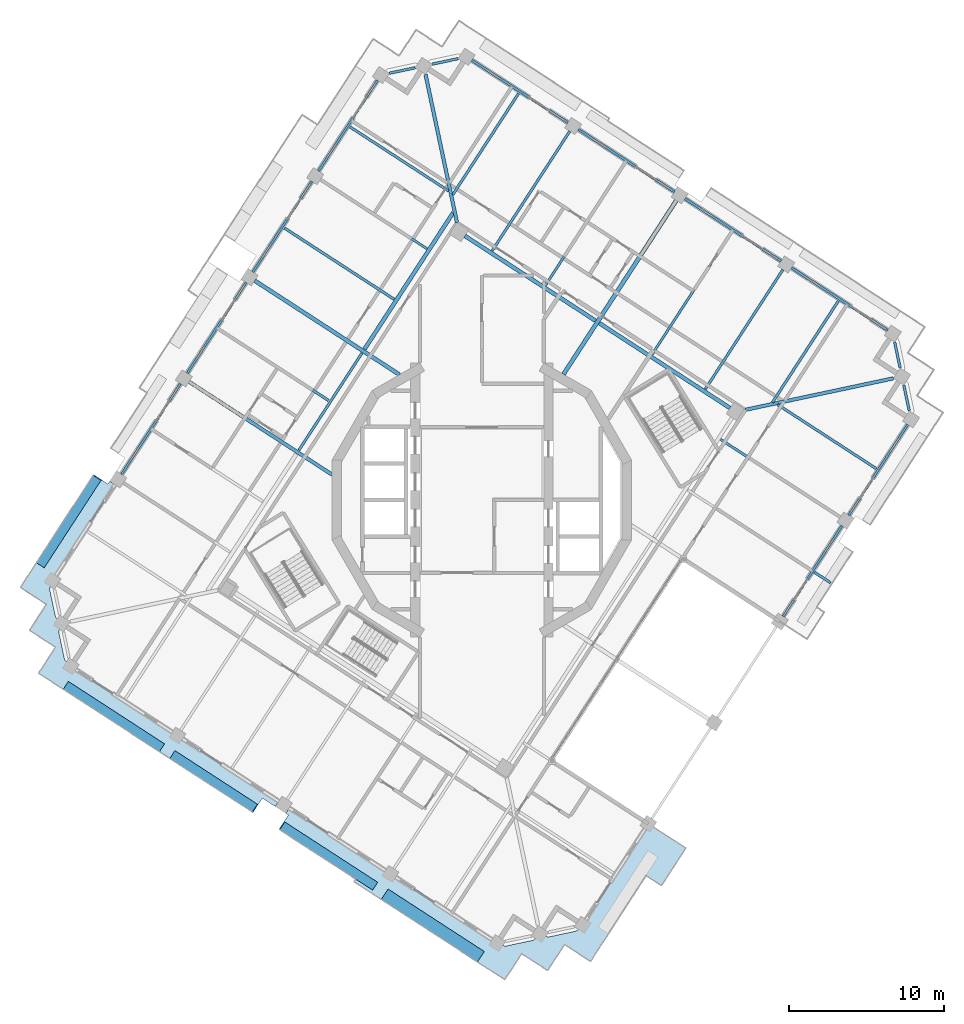
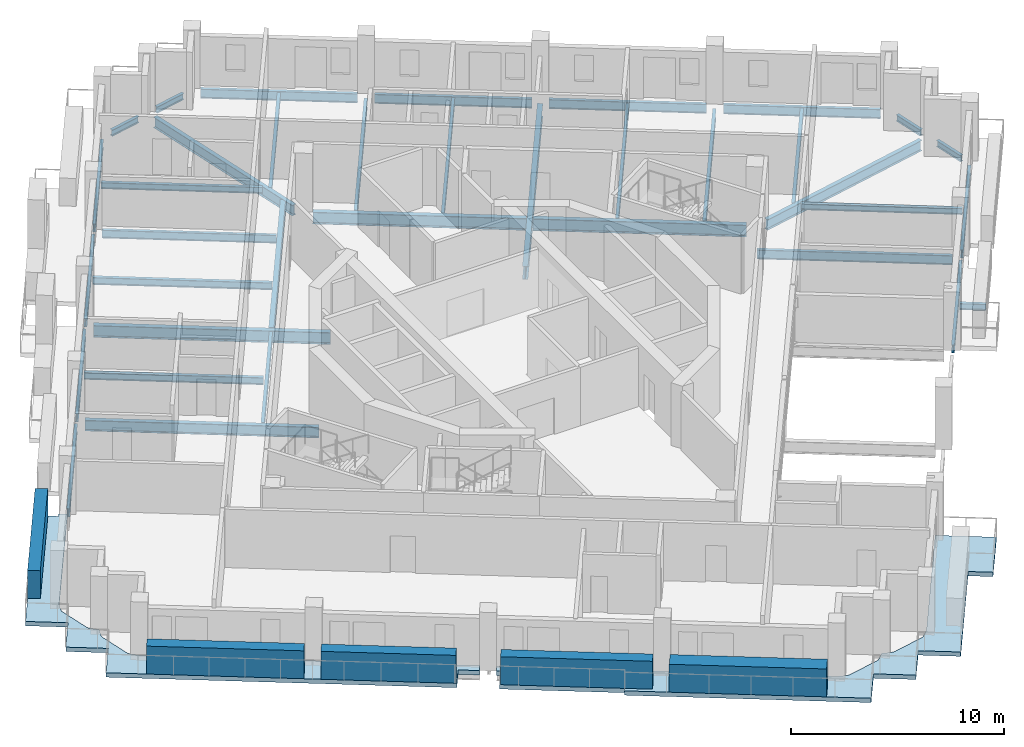
# One storey, part 3 of 17: 36 beams, 5 plates, 2 slabs.
"""IFC4 building model written with IfcOpenShell, lengths in metres."""

from ifc_helpers import new_model, si_unit, direction, frame, origin, origin_2d, place, context, subcontext, project, spatial, polyline, rectangle, i_section, outline, extrude, material, layer, layer_set, material_profile, profile_set, type_object, element, save


model = new_model("IFC4")

# Units and contexts
model_context = context("Model", 3, precision=1e-05, world=origin(), true_north=direction((0.0, 1.0)))
body_context = subcontext(model_context, "Body", "Model", "MODEL_VIEW")
ifc_project = project(units=[si_unit("LENGTHUNIT", "METRE"), si_unit("AREAUNIT", "SQUARE_METRE"), si_unit("VOLUMEUNIT", "CUBIC_METRE"), si_unit("PLANEANGLEUNIT", "RADIAN"), si_unit("MASSUNIT", "GRAM", prefix="KILO")], contexts=[model_context])

# Site, building, storey
site_placement = place(None, origin())
site = spatial("IfcSite", under=ifc_project, at=site_placement, CompositionType="ELEMENT")
building_placement = place(site_placement, origin())
building = spatial("IfcBuilding", under=site, at=building_placement, Name="Cantera Rosa Tower", CompositionType="ELEMENT")
storey_placement = place(building_placement, frame((0.0, 0.0, 254.10009765625)))
storey = spatial("IfcBuildingStorey", under=building, at=storey_placement, Name="L56", CompositionType="ELEMENT", Elevation=254.10009765625)

# Beams
ifc_material_1 = material(Name="Steel ASTM A992 (Fy 345 MPa)", Category="steel")
ifc_material_profile_1 = material_profile(ifc_material_1, i_section(OverallWidth=0.154052734375, OverallDepth=0.4599609375, WebThickness=0.009033203125, FlangeThickness=0.015380859375, FilletRadius=0.01025390625, at=origin_2d()), Name="W460X68")
ifc_profile_set_1 = profile_set([ifc_material_profile_1], Name="Steel ASTM A992 (Fy 345 MPa)")
beam_type_1 = type_object("IfcBeamType", Name="STEEL BEAM W460X68", PredefinedType="BEAM", material=ifc_profile_set_1)
beam_1_placement = place(storey_placement, frame((-10.41748046875, 20.68017578125, -0.47998046875), z_axis=(0.838672777751, -0.544635632198, 0.0), x_axis=(0.544635632198, 0.838672777751, 0.0)))
element("IfcBeam", 1, at=beam_1_placement, inside=storey, type_object=beam_type_1, Name="G-Z5-04 L56", PredefinedType="BEAM", context=body_context, shape_type="SweptSolid", body=[
    extrude(i_section(OverallWidth=0.154052734375, OverallDepth=0.4599609375, WebThickness=0.009033203125, FlangeThickness=0.015380859375, FilletRadius=0.01025390625, at=origin_2d()), origin(), (0.0, 0.0, 1.0), 8.2001953125),
])
ifc_material_2 = material(Name="Steel ASTM A992 (Fy 345 MPa)", Category="steel")
ifc_material_profile_2 = material_profile(ifc_material_2, i_section(OverallWidth=0.166015625, OverallDepth=0.528076171875, WebThickness=0.009765625, FlangeThickness=0.013671875, FilletRadius=0.0126953125, at=origin_2d()), Name="W530X74")
ifc_profile_set_2 = profile_set([ifc_material_profile_2], Name="Steel ASTM A992 (Fy 345 MPa)")
beam_type_2 = type_object("IfcBeamType", Name="STEEL BEAM W530X74", PredefinedType="BEAM", material=ifc_profile_set_2)
beam_2_placement = place(storey_placement, frame((19.430908203125, 14.865234375, -0.51416015625), z_axis=(-0.544634776066, -0.838673333724, 0.0), x_axis=(0.838673333724, -0.544634776066, 0.0)))
element("IfcBeam", 2, at=beam_2_placement, inside=storey, type_object=beam_type_2, Name="G-Z5-01 L56", PredefinedType="BEAM", context=body_context, shape_type="SweptSolid", body=[
    extrude(i_section(OverallWidth=0.166015625, OverallDepth=0.528076171875, WebThickness=0.009765625, FlangeThickness=0.013671875, FilletRadius=0.0126953125, at=origin_2d()), origin(), (0.0, 0.0, 1.0), 9.19970703125),
])
beam_3_placement = place(storey_placement, frame((5.6767578125, 23.79736328125, -0.51416015625), z_axis=(-0.544622654601, -0.838681205283, 0.0), x_axis=(0.838681205283, -0.544622654601, 0.0)))
element("IfcBeam", 3, at=beam_3_placement, inside=storey, type_object=beam_type_2, Name="G-Z5-03 L56", PredefinedType="BEAM", context=body_context, shape_type="SweptSolid", body=[
    extrude(i_section(OverallWidth=0.166015625, OverallDepth=0.528076171875, WebThickness=0.009765625, FlangeThickness=0.013671875, FilletRadius=0.0126953125, at=origin_2d()), origin(), (0.0, 0.0, 1.0), 9.199951171875),
])
beam_4_placement = place(storey_placement, frame((23.12939453125, -1.10546875, -0.51416015625), z_axis=(-0.838669083999, 0.544641320086, 0.0), x_axis=(-0.544641320086, -0.838669083999, 0.0)))
element("IfcBeam", 4, at=beam_4_placement, inside=storey, type_object=beam_type_2, Name="G-Z5-11 L56", PredefinedType="BEAM", context=body_context, shape_type="SweptSolid", body=[
    extrude(i_section(OverallWidth=0.166015625, OverallDepth=0.528076171875, WebThickness=0.009765625, FlangeThickness=0.013671875, FilletRadius=0.0126953125, at=origin_2d()), origin(), (0.0, 0.0, 1.0), 9.2001953125),
])
beam_5_placement = place(storey_placement, frame((-11.807373046875, 3.20849609375, -0.51416015625), z_axis=(0.544626910795, 0.838678441381, 0.0), x_axis=(-0.838678441381, 0.544626910795, 0.0)))
element("IfcBeam", 5, at=beam_5_placement, inside=storey, type_object=beam_type_2, Name="RB-Z5-02 L56", PredefinedType="BEAM", context=body_context, shape_type="SweptSolid", body=[
    extrude(i_section(OverallWidth=0.166015625, OverallDepth=0.528076171875, WebThickness=0.009765625, FlangeThickness=0.013671875, FilletRadius=0.0126953125, at=origin_2d()), origin(), (0.0, 0.0, 1.0), 7.479736328125),
])
ifc_material_3 = material(Name="Steel ASTM A992 (Fy 345 MPa)", Category="steel")
ifc_material_profile_3 = material_profile(ifc_material_3, i_section(OverallWidth=0.22802734375, OverallDepth=0.60205078125, WebThickness=0.010498046875, FlangeThickness=0.014892578125, FilletRadius=0.0126953125, at=origin_2d()), Name="W610X101")
ifc_profile_set_3 = profile_set([ifc_material_profile_3], Name="Steel ASTM A992 (Fy 345 MPa)")
beam_type_3 = type_object("IfcBeamType", Name="STEEL BEAM W610X101", PredefinedType="BEAM", material=ifc_profile_set_3)
for number, where, z_axis, x_axis, name in (
    (6, (-3.63134765625, 27.45751953125, -0.551025390625), (0.20790902572, -0.978148167214, 0.0), (0.978148167214, 0.20790902572, 0.0), "CB-Z5-01 L56"),
    (7, (26.560791015625, 7.8505859375, -0.551025390625), (-0.978148167214, -0.20790902572, 0.0), (0.20790902572, -0.978148167214, 0.0), "CB-Z5-04 L56"),
):
    element("IfcBeam", number, at=place(storey_placement, frame(where, z_axis=z_axis, x_axis=x_axis)), inside=storey, type_object=beam_type_3, Name=name, PredefinedType="BEAM", context=body_context, shape_type="SweptSolid", body=[
        extrude(i_section(OverallWidth=0.22802734375, OverallDepth=0.60205078125, WebThickness=0.010498046875, FlangeThickness=0.014892578125, FilletRadius=0.0126953125, at=origin_2d()), origin(), (0.0, 0.0, 1.0), 9.758056640625),
    ])
ifc_material_4 = material(Name="Steel ASTM A992 (Fy 345 MPa)", Category="steel")
ifc_material_profile_4 = material_profile(ifc_material_4, i_section(OverallWidth=0.22900390625, OverallDepth=0.612060546875, WebThickness=0.011962890625, FlangeThickness=0.01953125, FilletRadius=0.0126953125, at=origin_2d()), Name="W610X125")
ifc_profile_set_4 = profile_set([ifc_material_profile_4], Name="Steel ASTM A992 (Fy 345 MPa)")
beam_type_4 = type_object("IfcBeamType", Name="STEEL BEAM W610X125", PredefinedType="BEAM", material=ifc_profile_set_4)
beam_6_placement = place(storey_placement, frame((-18.89208984375, 7.63037109375, -0.55615234375), z_axis=(0.838673569952, -0.544634412302, 0.0), x_axis=(0.544634412302, 0.838673569952, 0.0)))
element("IfcBeam", 8, at=beam_6_placement, inside=storey, type_object=beam_type_4, Name="G-Z5-06 L56", PredefinedType="BEAM", context=body_context, shape_type="SweptSolid", body=[
    extrude(i_section(OverallWidth=0.22900390625, OverallDepth=0.612060546875, WebThickness=0.011962890625, FlangeThickness=0.01953125, FilletRadius=0.0126953125, at=origin_2d()), origin(), (0.0, 0.0, 1.0), 11.009033203125),
])
ifc_material_5 = material(Name="Steel ASTM A992 (Fy 345 MPa)", Category="steel")
ifc_material_profile_5 = material_profile(ifc_material_5, i_section(OverallWidth=0.25390625, OverallDepth=0.677978515625, WebThickness=0.01171875, FlangeThickness=0.016357421875, FilletRadius=0.01513671875, at=origin_2d()), Name="W690X125")
ifc_profile_set_5 = profile_set([ifc_material_profile_5], Name="Steel ASTM A992 (Fy 345 MPa)")
beam_type_5 = type_object("IfcBeamType", Name="STEEL BEAM W690X125", PredefinedType="BEAM", material=ifc_profile_set_5)
beam_7_placement = place(storey_placement, frame((-14.65478515625, 14.1552734375, -0.589111328125), z_axis=(0.838661833747, -0.544652484265, 0.0), x_axis=(0.544652484265, 0.838661833747, 0.0)))
element("IfcBeam", 9, at=beam_7_placement, inside=storey, type_object=beam_type_5, Name="G-Z5-05 L56", PredefinedType="BEAM", context=body_context, shape_type="SweptSolid", body=[
    extrude(i_section(OverallWidth=0.25390625, OverallDepth=0.677978515625, WebThickness=0.01171875, FlangeThickness=0.016357421875, FilletRadius=0.01513671875, at=origin_2d()), origin(), (0.0, 0.0, 1.0), 11.141357421875),
])
beam_8_placement = place(storey_placement, frame((-7.570068359375, 9.733154296875, -0.589111328125), z_axis=(0.544635575355, 0.838672814665, 0.0), x_axis=(-0.838672814665, 0.544635575355, 0.0)))
element("IfcBeam", 10, at=beam_8_placement, inside=storey, type_object=beam_type_5, Name="RB-Z5-03 L56", PredefinedType="BEAM", context=body_context, shape_type="SweptSolid", body=[
    extrude(i_section(OverallWidth=0.25390625, OverallDepth=0.677978515625, WebThickness=0.01171875, FlangeThickness=0.016357421875, FilletRadius=0.01513671875, at=origin_2d()), origin(), (0.0, 0.0, 1.0), 10.510009765625),
])
beam_9_placement = place(storey_placement, frame((16.01611328125, 5.9345703125, -0.589111328125), z_axis=(-0.838672207367, 0.544636510519, 0.0), x_axis=(-0.544636510519, -0.838672207367, 0.0)))
element("IfcBeam", 11, at=beam_9_placement, inside=storey, type_object=beam_type_5, Name="RB-Z5-07 L56", PredefinedType="BEAM", context=body_context, shape_type="SweptSolid", body=[
    extrude(i_section(OverallWidth=0.25390625, OverallDepth=0.677978515625, WebThickness=0.01171875, FlangeThickness=0.016357421875, FilletRadius=0.01513671875, at=origin_2d()), origin(), (0.0, 0.0, 1.0), 10.050048828125),
])
beam_10_placement = place(storey_placement, frame((7.335693359375, 11.571533203125, -0.589111328125), z_axis=(-0.838665001306, 0.544647606792, 0.0), x_axis=(-0.544647606792, -0.838665001306, 0.0)))
element("IfcBeam", 12, at=beam_10_placement, inside=storey, type_object=beam_type_5, Name="RB-Z5-08 L56", PredefinedType="BEAM", context=body_context, shape_type="SweptSolid", body=[
    extrude(i_section(OverallWidth=0.25390625, OverallDepth=0.677978515625, WebThickness=0.01171875, FlangeThickness=0.016357421875, FilletRadius=0.01513671875, at=origin_2d()), origin(), (0.0, 0.0, 1.0), 10.0498046875),
])
ifc_material_6 = material(Name="Steel ASTM A992 (Fy 345 MPa)", Category="steel")
ifc_material_profile_6 = material_profile(ifc_material_6, i_section(OverallWidth=0.26708984375, OverallDepth=0.75390625, WebThickness=0.01318359375, FlangeThickness=0.01708984375, FilletRadius=0.0166015625, at=origin_2d()), Name="W760X147")
ifc_profile_set_6 = profile_set([ifc_material_profile_6], Name="Steel ASTM A992 (Fy 345 MPa)")
beam_type_6 = type_object("IfcBeamType", Name="STEEL BEAM W760X147", PredefinedType="BEAM", material=ifc_profile_set_6)
beam_11_placement = place(storey_placement, frame((12.553955078125, 19.331298828125, -0.627197265625), z_axis=(-0.54464061985, -0.838669538739, 0.0), x_axis=(0.838669538739, -0.54464061985, 0.0)))
element("IfcBeam", 13, at=beam_11_placement, inside=storey, type_object=beam_type_6, Name="G-Z5-02 L56", PredefinedType="BEAM", context=body_context, shape_type="SweptSolid", body=[
    extrude(i_section(OverallWidth=0.26708984375, OverallDepth=0.75390625, WebThickness=0.01318359375, FlangeThickness=0.01708984375, FilletRadius=0.0166015625, at=origin_2d()), origin(), (0.0, 0.0, 1.0), 13.37744140625),
])
ifc_material_7 = material(Name="Steel ASTM A992 (Fy 345 MPa)", Category="steel")
ifc_material_profile_7 = material_profile(ifc_material_7, i_section(OverallWidth=0.1708984375, OverallDepth=0.35595703125, WebThickness=0.00732421875, FlangeThickness=0.01171875, FilletRadius=0.010009765625, at=origin_2d()), Name="W360X51")
ifc_profile_set_7 = profile_set([ifc_material_profile_7], Name="Steel ASTM A992 (Fy 345 MPa)")
beam_type_7 = type_object("IfcBeamType", Name="STEEL JOIST W360X51", PredefinedType="JOIST", material=ifc_profile_set_7)
for number, where, z_axis, x_axis, name in (
    (14, (23.005859375, 12.842041015625, -0.427978515625), (-0.544641754757, -0.838668801718, 0.0), (0.838668801718, -0.544641754757, 0.0), "B-Z5-01 L56"),
    (15, (2.37451171875, 26.239990234375, -0.427978515625), (-0.54465605183, -0.838659516851, 0.0), (0.838659516851, -0.54465605183, 0.0), "B-Z5-04 L56"),
):
    element("IfcBeam", number, at=place(storey_placement, frame(where, z_axis=z_axis, x_axis=x_axis)), inside=storey, type_object=beam_type_7, Name=name, PredefinedType="JOIST", context=body_context, shape_type="SweptSolid", body=[
        extrude(i_section(OverallWidth=0.1708984375, OverallDepth=0.35595703125, WebThickness=0.00732421875, FlangeThickness=0.01171875, FilletRadius=0.010009765625, at=origin_2d()), origin(), (0.0, 0.0, 1.0), 7.800048828125),
    ])
beam_12_placement = place(storey_placement, frame((-8.508544921875, 24.07861328125, -0.427978515625), z_axis=(0.838670629323, -0.544638940502, 0.0), x_axis=(0.544638940502, 0.838670629323, 0.0)))
element("IfcBeam", 16, at=beam_12_placement, inside=storey, type_object=beam_type_7, Name="B-Z5-05 L56", PredefinedType="JOIST", context=body_context, shape_type="SweptSolid", body=[
    extrude(i_section(OverallWidth=0.1708984375, OverallDepth=0.35595703125, WebThickness=0.00732421875, FlangeThickness=0.01171875, FilletRadius=0.010009765625, at=origin_2d()), origin(), (0.0, 0.0, 1.0), 7.58984375),
])
beam_13_placement = place(storey_placement, frame((25.457763671875, 2.020751953125, -0.427978515625), z_axis=(-0.838680170462, 0.54462424815, 0.0), x_axis=(-0.54462424815, -0.838680170462, 0.0)))
element("IfcBeam", 17, at=beam_13_placement, inside=storey, type_object=beam_type_7, Name="B-Z5-14 L56", PredefinedType="JOIST", context=body_context, shape_type="SweptSolid", body=[
    extrude(i_section(OverallWidth=0.1708984375, OverallDepth=0.35595703125, WebThickness=0.00732421875, FlangeThickness=0.01171875, FilletRadius=0.010009765625, at=origin_2d()), origin(), (0.0, 0.0, 1.0), 7.590087890625),
])
beam_14_placement = place(storey_placement, frame((21.455078125, -4.656494140625, -0.427978515625), z_axis=(0.838679658069, -0.544625037197, 0.0), x_axis=(0.544625037197, 0.838679658069, 0.0)))
element("IfcBeam", 18, at=beam_14_placement, inside=storey, type_object=beam_type_7, Name="BS-Z5-01 L56", PredefinedType="JOIST", context=body_context, shape_type="SweptSolid", body=[
    extrude(i_section(OverallWidth=0.1708984375, OverallDepth=0.35595703125, WebThickness=0.00732421875, FlangeThickness=0.01171875, FilletRadius=0.010009765625, at=origin_2d()), origin(), (0.0, 0.0, 1.0), 1.251953125),
])
ifc_material_8 = material(Name="Steel ASTM A992 (Fy 345 MPa)", Category="steel")
ifc_material_profile_8 = material_profile(ifc_material_8, i_section(OverallWidth=0.177978515625, OverallDepth=0.406005859375, WebThickness=0.0078125, FlangeThickness=0.0126953125, FilletRadius=0.01025390625, at=origin_2d()), Name="W410X60")
ifc_profile_set_8 = profile_set([ifc_material_profile_8], Name="Steel ASTM A992 (Fy 345 MPa)")
beam_type_8 = type_object("IfcBeamType", Name="STEEL JOIST W410X60", PredefinedType="JOIST", material=ifc_profile_set_8)
beam_15_placement = place(storey_placement, frame((-12.745849609375, 17.5537109375, -0.453125), z_axis=(0.838683812595, -0.5446186395, 0.0), x_axis=(0.5446186395, 0.838683812595, 0.0)))
element("IfcBeam", 19, at=beam_15_placement, inside=storey, type_object=beam_type_8, Name="B-Z5-06 L56", PredefinedType="JOIST", context=body_context, shape_type="SweptSolid", body=[
    extrude(i_section(OverallWidth=0.177978515625, OverallDepth=0.406005859375, WebThickness=0.0078125, FlangeThickness=0.0126953125, FilletRadius=0.01025390625, at=origin_2d()), origin(), (0.0, 0.0, 1.0), 8.449951171875),
])
beam_16_placement = place(storey_placement, frame((-16.983154296875, 11.029052734375, -0.453125), z_axis=(0.838670615657, -0.544638961546, 0.0), x_axis=(0.544638961546, 0.838670615657, 0.0)))
element("IfcBeam", 20, at=beam_16_placement, inside=storey, type_object=beam_type_8, Name="B-Z5-07 L56", PredefinedType="JOIST", context=body_context, shape_type="SweptSolid", body=[
    extrude(i_section(OverallWidth=0.177978515625, OverallDepth=0.406005859375, WebThickness=0.0078125, FlangeThickness=0.0126953125, FilletRadius=0.01025390625, at=origin_2d()), origin(), (0.0, 0.0, 1.0), 8.4501953125),
])
ifc_material_9 = material(Name="Steel ASTM A992 (Fy 345 MPa)", Category="steel")
ifc_material_profile_9 = material_profile(ifc_material_9, i_section(OverallWidth=0.154052734375, OverallDepth=0.4599609375, WebThickness=0.009033203125, FlangeThickness=0.015380859375, FilletRadius=0.01025390625, at=origin_2d()), Name="W460X68")
ifc_profile_set_9 = profile_set([ifc_material_profile_9], Name="Steel ASTM A992 (Fy 345 MPa)")
beam_type_9 = type_object("IfcBeamType", Name="STEEL JOIST W460X68", PredefinedType="JOIST", material=ifc_profile_set_9)
beam_17_placement = place(storey_placement, frame((16.128662109375, 17.30810546875, -0.47998046875), z_axis=(-0.544644146603, -0.838667248419, 0.0), x_axis=(0.838667248419, -0.544644146603, 0.0)))
element("IfcBeam", 21, at=beam_17_placement, inside=storey, type_object=beam_type_9, Name="B-Z5-02 L56", PredefinedType="JOIST", context=body_context, shape_type="SweptSolid", body=[
    extrude(i_section(OverallWidth=0.154052734375, OverallDepth=0.4599609375, WebThickness=0.009033203125, FlangeThickness=0.015380859375, FilletRadius=0.01025390625, at=origin_2d()), origin(), (0.0, 0.0, 1.0), 9.4501953125),
])
beam_18_placement = place(storey_placement, frame((9.25146484375, 21.77392578125, -0.47998046875), z_axis=(-0.544637775879, -0.838671385636, 0.0), x_axis=(0.838671385636, -0.544637775879, 0.0)))
element("IfcBeam", 22, at=beam_18_placement, inside=storey, type_object=beam_type_9, Name="B-Z5-03 L56", PredefinedType="JOIST", context=body_context, shape_type="SweptSolid", body=[
    extrude(i_section(OverallWidth=0.154052734375, OverallDepth=0.4599609375, WebThickness=0.009033203125, FlangeThickness=0.015380859375, FilletRadius=0.01025390625, at=origin_2d()), origin(), (0.0, 0.0, 1.0), 9.44970703125),
])
ifc_material_10 = material(Name="Steel ASTM A992 (Fy 345 MPa)", Category="steel")
ifc_material_profile_10 = material_profile(ifc_material_10, i_section(OverallWidth=0.1708984375, OverallDepth=0.35595703125, WebThickness=0.00732421875, FlangeThickness=0.01171875, FilletRadius=0.010009765625, at=origin_2d()), Name="W360X51")
ifc_profile_set_10 = profile_set([ifc_material_profile_10], Name="Steel ASTM A992 (Fy 345 MPa)")
beam_type_10 = type_object("IfcBeamType", Name="STEEL SPANDREL BEAM W360X51", PredefinedType="SPANDREL", material=ifc_profile_set_10)
for number, where, z_axis, x_axis, name in (
    (23, (-1.53564453125, 28.481201171875, -0.427978515625), (-0.978158850918, -0.20785875582, 0.0), (0.20785875582, -0.978158850918, 0.0), "EB-Z5-05 L56"),
    (24, (-4.30224609375, 27.893310546875, -0.427978515625), (-0.978129595322, -0.207996381593, 0.0), (0.207996381593, -0.978129595322, 0.0), "EB-Z5-06 L56"),
):
    element("IfcBeam", number, at=place(storey_placement, frame(where, z_axis=z_axis, x_axis=x_axis)), inside=storey, type_object=beam_type_10, Name=name, PredefinedType="SPANDREL", context=body_context, shape_type="SweptSolid", body=[
        extrude(i_section(OverallWidth=0.1708984375, OverallDepth=0.35595703125, WebThickness=0.00732421875, FlangeThickness=0.01171875, FilletRadius=0.010009765625, at=origin_2d()), origin(), (0.0, 0.0, 1.0), 1.697265625),
    ])
for number, where, z_axis, x_axis, name in (
    (25, (27.58447265625, 5.7548828125, -0.427978515625), (-0.207888006632, 0.978152634663, 0.0), (-0.978152634663, -0.207888006632, 0.0), "EB-Z5-25 L56"),
    (26, (26.996337890625, 8.521484375, -0.427978515625), (-0.207888006632, 0.978152634663, 0.0), (-0.978152634663, -0.207888006632, 0.0), "EB-Z5-26 L56"),
):
    element("IfcBeam", number, at=place(storey_placement, frame(where, z_axis=z_axis, x_axis=x_axis)), inside=storey, type_object=beam_type_10, Name=name, PredefinedType="SPANDREL", context=body_context, shape_type="SweptSolid", body=[
        extrude(i_section(OverallWidth=0.1708984375, OverallDepth=0.35595703125, WebThickness=0.00732421875, FlangeThickness=0.01171875, FilletRadius=0.010009765625, at=origin_2d()), origin(), (0.0, 0.0, 1.0), 1.697021484375),
    ])
ifc_material_11 = material(Name="Steel ASTM A992 (Fy 345 MPa)", Category="steel")
ifc_material_profile_11 = material_profile(ifc_material_11, i_section(OverallWidth=0.154052734375, OverallDepth=0.4599609375, WebThickness=0.009033203125, FlangeThickness=0.015380859375, FilletRadius=0.01025390625, at=origin_2d()), Name="W460X68")
ifc_profile_set_11 = profile_set([ifc_material_profile_11], Name="Steel ASTM A992 (Fy 345 MPa)")
beam_type_11 = type_object("IfcBeamType", Name="STEEL SPANDREL BEAM W460X68", PredefinedType="SPANDREL", material=ifc_profile_set_11)
for number, where, z_axis, x_axis, name in (
    (27, (-6.7333984375, 27.08740234375, -0.47998046875), (-0.544651451949, -0.838662504164, 0.0), (0.838662504164, -0.544651451949, 0.0), "EB-Z5-07 L56"),
    (28, (-10.970703125, 20.5625, -0.47998046875), (-0.544651451949, -0.838662504164, 0.0), (0.838662504164, -0.544651451949, 0.0), "EB-Z5-08 L56"),
    (29, (-15.2080078125, 14.03759765625, -0.47998046875), (-0.544651451949, -0.838662504164, 0.0), (0.838662504164, -0.544651451949, 0.0), "EB-Z5-09 L56"),
):
    element("IfcBeam", number, at=place(storey_placement, frame(where, z_axis=z_axis, x_axis=x_axis)), inside=storey, type_object=beam_type_11, Name=name, PredefinedType="SPANDREL", context=body_context, shape_type="SweptSolid", body=[
        extrude(i_section(OverallWidth=0.154052734375, OverallDepth=0.4599609375, WebThickness=0.009033203125, FlangeThickness=0.015380859375, FilletRadius=0.01025390625, at=origin_2d()), origin(), (0.0, 0.0, 1.0), 6.980224609375),
    ])
for number, where, z_axis, x_axis, name in (
    (30, (-19.4453125, 7.5126953125, -0.47998046875), (-0.544667428764, -0.838652128146, 0.0), (0.838652128146, -0.544667428764, 0.0), "EB-Z5-10 L56"),
    (31, (19.4453125, -7.5126953125, -0.47998046875), (0.544667428764, 0.838652128146, 0.0), (-0.838652128146, 0.544667428764, 0.0), "EB-Z5-23 L56"),
    (32, (23.6826171875, -0.98779296875, -0.47998046875), (0.544667428764, 0.838652128146, 0.0), (-0.838652128146, 0.544667428764, 0.0), "EB-Z5-24 L56"),
):
    element("IfcBeam", number, at=place(storey_placement, frame(where, z_axis=z_axis, x_axis=x_axis)), inside=storey, type_object=beam_type_11, Name=name, PredefinedType="SPANDREL", context=body_context, shape_type="SweptSolid", body=[
        extrude(i_section(OverallWidth=0.154052734375, OverallDepth=0.4599609375, WebThickness=0.009033203125, FlangeThickness=0.015380859375, FilletRadius=0.01025390625, at=origin_2d()), origin(), (0.0, 0.0, 1.0), 6.97998046875),
    ])
ifc_material_12 = material(Name="Steel ASTM A992 (Fy 345 MPa)", Category="steel")
ifc_material_profile_12 = material_profile(ifc_material_12, i_section(OverallWidth=0.166015625, OverallDepth=0.528076171875, WebThickness=0.009765625, FlangeThickness=0.013671875, FilletRadius=0.0126953125, at=origin_2d()), Name="W530X74")
ifc_profile_set_12 = profile_set([ifc_material_profile_12], Name="Steel ASTM A992 (Fy 345 MPa)")
beam_type_12 = type_object("IfcBeamType", Name="STEEL SPANDREL BEAM W530X74", PredefinedType="SPANDREL", material=ifc_profile_set_12)
beam_19_placement = place(storey_placement, frame((26.1904296875, 10.95263671875, -0.51416015625), z_axis=(-0.838669679097, 0.544640403719, 0.0), x_axis=(-0.544640403719, -0.838669679097, 0.0)))
element("IfcBeam", 33, at=beam_19_placement, inside=storey, type_object=beam_type_12, Name="EB-Z5-01 L56", PredefinedType="SPANDREL", context=body_context, shape_type="SweptSolid", body=[
    extrude(i_section(OverallWidth=0.166015625, OverallDepth=0.528076171875, WebThickness=0.009765625, FlangeThickness=0.013671875, FilletRadius=0.0126953125, at=origin_2d()), origin(), (0.0, 0.0, 1.0), 7.39990234375),
])
beam_20_placement = place(storey_placement, frame((19.3134765625, 15.418701171875, -0.51416015625), z_axis=(-0.838679465365, 0.544625333946, 0.0), x_axis=(-0.544625333946, -0.838679465365, 0.0)))
element("IfcBeam", 34, at=beam_20_placement, inside=storey, type_object=beam_type_12, Name="EB-Z5-02 L56", PredefinedType="SPANDREL", context=body_context, shape_type="SweptSolid", body=[
    extrude(i_section(OverallWidth=0.166015625, OverallDepth=0.528076171875, WebThickness=0.009765625, FlangeThickness=0.013671875, FilletRadius=0.0126953125, at=origin_2d()), origin(), (0.0, 0.0, 1.0), 7.400146484375),
])
beam_21_placement = place(storey_placement, frame((12.436279296875, 19.884765625, -0.51416015625), z_axis=(-0.838669679097, 0.544640403719, 0.0), x_axis=(-0.544640403719, -0.838669679097, 0.0)))
element("IfcBeam", 35, at=beam_21_placement, inside=storey, type_object=beam_type_12, Name="EB-Z5-03 L56", PredefinedType="SPANDREL", context=body_context, shape_type="SweptSolid", body=[
    extrude(i_section(OverallWidth=0.166015625, OverallDepth=0.528076171875, WebThickness=0.009765625, FlangeThickness=0.013671875, FilletRadius=0.0126953125, at=origin_2d()), origin(), (0.0, 0.0, 1.0), 7.39990234375),
])
beam_22_placement = place(storey_placement, frame((5.559326171875, 24.350830078125, -0.51416015625), z_axis=(-0.838679465365, 0.544625333946, 0.0), x_axis=(-0.544625333946, -0.838679465365, 0.0)))
element("IfcBeam", 36, at=beam_22_placement, inside=storey, type_object=beam_type_12, Name="EB-Z5-04 L56", PredefinedType="SPANDREL", context=body_context, shape_type="SweptSolid", body=[
    extrude(i_section(OverallWidth=0.166015625, OverallDepth=0.528076171875, WebThickness=0.009765625, FlangeThickness=0.013671875, FilletRadius=0.0126953125, at=origin_2d()), origin(), (0.0, 0.0, 1.0), 7.400146484375),
])

# Slabs
ifc_material_13 = material(Name="Concrete C35/45", Category="concrete")
ifc_layer = layer(ifc_material_13, 0.25)
ifc_layer_set = layer_set([ifc_layer], Name="LOGGIA SLAB 250 C35/45")
slab_type = type_object("IfcSlabType", Name="LOGGIA SLAB 250 C35/45", PredefinedType="FLOOR", material=ifc_layer_set)
slab_1_placement = place(storey_placement, frame((0.0, 0.0, -0.25)))
element("IfcSlab", 37, at=slab_1_placement, inside=storey, type_object=slab_type, Name="LOGGIA SLAB L56 1", PredefinedType="FLOOR", context=body_context, shape_type="SweptSolid", body=[
    extrude(outline(polyline([(-21.723876953125, -15.641845703125), (-27.343017578125, -11.992919921875), (-28.600830078125, -11.17578125), (-27.783935546875, -9.917724609375), (-27.51171875, -9.49853515625), (-27.930908203125, -9.22607421875), (-29.18896484375, -8.4091796875), (-28.3720703125, -7.151123046875), (-28.099609375, -6.731689453125), (-28.51904296875, -6.45947265625), (-29.777099609375, -5.642578125), (-28.960205078125, -4.384521484375), (-25.540771484375, 0.880859375), (-25.542236328125, 0.8818359375), (-25.051025390625, 1.63818359375), (-24.127197265625, 1.0380859375), (-24.01806640625, 1.205810546875), (-23.6826171875, 0.98779296875), (-27.13330078125, -4.32568359375), (-27.7021484375, -5.201416015625), (-27.863037109375, -5.643798828125), (-27.872802734375, -5.67138671875), (-27.87939453125, -5.7001953125), (-27.88330078125, -5.729248046875), (-27.884521484375, -5.7587890625), (-27.882568359375, -5.7880859375), (-27.8779296875, -5.817138671875), (-27.525146484375, -7.477294921875), (-27.517578125, -7.505615234375), (-27.50732421875, -7.533203125), (-27.494384765625, -7.559814453125), (-27.47900390625, -7.584716796875), (-27.461181640625, -7.608154296875), (-27.44091796875, -7.629638671875), (-27.114013671875, -7.968017578125), (-27.275146484375, -8.410400390625), (-27.28466796875, -8.43798828125), (-27.29150390625, -8.466796875), (-27.29541015625, -8.49609375), (-27.29638671875, -8.525390625), (-27.294677734375, -8.5546875), (-27.289794921875, -8.583740234375), (-26.93701171875, -10.243896484375), (-26.929443359375, -10.272216796875), (-26.919189453125, -10.2998046875), (-26.90625, -10.326416015625), (-26.890869140625, -10.351318359375), (-26.873046875, -10.374755859375), (-26.852783203125, -10.396240234375), (-26.52587890625, -10.734619140625), (-25.650146484375, -11.303466796875), (-13.107421875, -19.448974609375), (-13.3251953125, -19.784423828125), (-14.163818359375, -19.23974609375), (-14.762939453125, -20.162353515625), (-14.8466796875, -20.10791015625), (-19.207763671875, -17.275634765625), (-21.723876953125, -15.641845703125)])), origin(), (0.0, 0.0, 1.0), 0.25),
])
slab_2_placement = place(storey_placement, frame((0.0, 0.0, -0.25)))
element("IfcSlab", 38, at=slab_2_placement, inside=storey, type_object=slab_type, Name="LOGGIA SLAB L56 3", PredefinedType="FLOOR", context=body_context, shape_type="SweptSolid", body=[
    extrude(outline(polyline([(7.94140625, -28.3486328125), (7.015380859375, -29.7744140625), (5.58984375, -28.848388671875), (5.338134765625, -28.68505859375), (5.1748046875, -28.936767578125), (4.248779296875, -30.362548828125), (2.822998046875, -29.4365234375), (2.571533203125, -29.273193359375), (2.408203125, -29.52490234375), (1.482421875, -30.950439453125), (0.056396484375, -30.024658203125), (-8.246337890625, -24.6328125), (-8.137451171875, -24.465087890625), (-12.330810546875, -21.74169921875), (-13.08544921875, -21.251708984375), (-12.486328125, -20.3291015625), (-12.654296875, -20.22021484375), (-12.436279296875, -19.884765625), (0.106689453125, -28.030029296875), (0.982421875, -28.598876953125), (1.424560546875, -28.760009765625), (1.452392578125, -28.76953125), (1.481201171875, -28.7763671875), (1.51025390625, -28.7802734375), (1.539794921875, -28.78125), (1.569091796875, -28.779296875), (1.59814453125, -28.774658203125), (3.258056640625, -28.421875), (3.28662109375, -28.414306640625), (3.314208984375, -28.404052734375), (3.340576171875, -28.39111328125), (3.365478515625, -28.375732421875), (3.388916015625, -28.35791015625), (3.41064453125, -28.337890625), (3.7490234375, -28.0107421875), (4.191162109375, -28.171875), (4.218994140625, -28.181396484375), (4.247802734375, -28.188232421875), (4.27685546875, -28.192138671875), (4.306396484375, -28.193115234375), (4.335693359375, -28.19140625), (4.36474609375, -28.186767578125), (6.024658203125, -27.833740234375), (6.05322265625, -27.826416015625), (6.080810546875, -27.81591796875), (6.107177734375, -27.802978515625), (6.132080078125, -27.78759765625), (6.15576171875, -27.769775390625), (6.17724609375, -27.749755859375), (6.515625, -27.4228515625), (7.08447265625, -26.547119140625), (10.7529296875, -20.89794921875), (13.1669921875, -22.4658203125), (11.599365234375, -24.8798828125), (10.61083984375, -24.238037109375), (7.94140625, -28.3486328125)])), origin(), (0.0, 0.0, 1.0), 0.25),
])

# Plates
ifc_material_14 = material(Name="Cantera stone planter with soil", Category="masonry")
plate_type_1 = type_object("IfcPlateType", Name="PLANTER 600", PredefinedType="USERDEFINED", material=ifc_material_14)
plate_1_placement = place(storey_placement, frame((-26.657958984375, -1.390380859375, -0.000244140625), z_axis=(0.0, 0.0, 1.0), x_axis=(-0.544639035015, -0.838670567945, 0.0)))
element("IfcPlate", 39, at=plate_1_placement, inside=storey, type_object=plate_type_1, Name="PLANTER L56-09", ObjectType="PLANTER", PredefinedType="USERDEFINED", context=body_context, shape_type="SweptSolid", body=[
    extrude(rectangle(XDim=6.72998046875, YDim=0.60009765625, at=origin_2d()), origin(), (0.0, 0.0, 1.0), 1.60009765625),
])
plate_2_placement = place(storey_placement, frame((-23.740966796875, -13.97412109375, -0.000244140625), z_axis=(0.0, 0.0, 1.0), x_axis=(0.838670567945, -0.544639035015, 0.0)))
element("IfcPlate", 40, at=plate_2_placement, inside=storey, type_object=plate_type_1, Name="PLANTER L56-10", ObjectType="PLANTER", PredefinedType="USERDEFINED", context=body_context, shape_type="SweptSolid", body=[
    extrude(rectangle(XDim=7.39990234375, YDim=0.60009765625, at=origin_2d()), origin(), (0.0, 0.0, 1.0), 1.60009765625),
])
plate_3_placement = place(storey_placement, frame((-17.30419921875, -18.154296875, -0.000244140625), z_axis=(0.0, 0.0, 1.0), x_axis=(0.838670567945, -0.544639035015, 0.0)))
element("IfcPlate", 41, at=plate_3_placement, inside=storey, type_object=plate_type_1, Name="PLANTER L56-11", ObjectType="PLANTER", PredefinedType="USERDEFINED", context=body_context, shape_type="SweptSolid", body=[
    extrude(rectangle(XDim=6.35009765625, YDim=0.60009765625, at=origin_2d()), origin(), (0.0, 0.0, 1.0), 1.60009765625),
])
plate_4_placement = place(storey_placement, frame((-9.882080078125, -22.974365234375, -0.000244140625), z_axis=(0.0, 0.0, 1.0), x_axis=(0.838670567945, -0.544639035015, 0.0)))
element("IfcPlate", 42, at=plate_4_placement, inside=storey, type_object=plate_type_1, Name="PLANTER L56-12", ObjectType="PLANTER", PredefinedType="USERDEFINED", context=body_context, shape_type="SweptSolid", body=[
    extrude(rectangle(XDim=7.14990234375, YDim=0.60009765625, at=origin_2d()), origin(), (0.0, 0.0, 1.0), 1.60009765625),
])
ifc_material_15 = material(Name="Cantera stone planter with soil", Category="masonry")
plate_type_2 = type_object("IfcPlateType", Name="PLANTER 800", PredefinedType="USERDEFINED", material=ifc_material_15)
plate_5_placement = place(storey_placement, frame((-3.1640625, -27.4560546875, -0.000244140625), z_axis=(0.0, 0.0, 1.0), x_axis=(0.838670567945, -0.544639035015, 0.0)))
element("IfcPlate", 43, at=plate_5_placement, inside=storey, type_object=plate_type_2, Name="PLANTER L56-13", ObjectType="PLANTER", PredefinedType="USERDEFINED", context=body_context, shape_type="SweptSolid", body=[
    extrude(rectangle(XDim=7.39990234375, YDim=0.800048828125, at=origin_2d()), origin(), (0.0, 0.0, 1.0), 1.60009765625),
])

save(model, "model.ifc")
